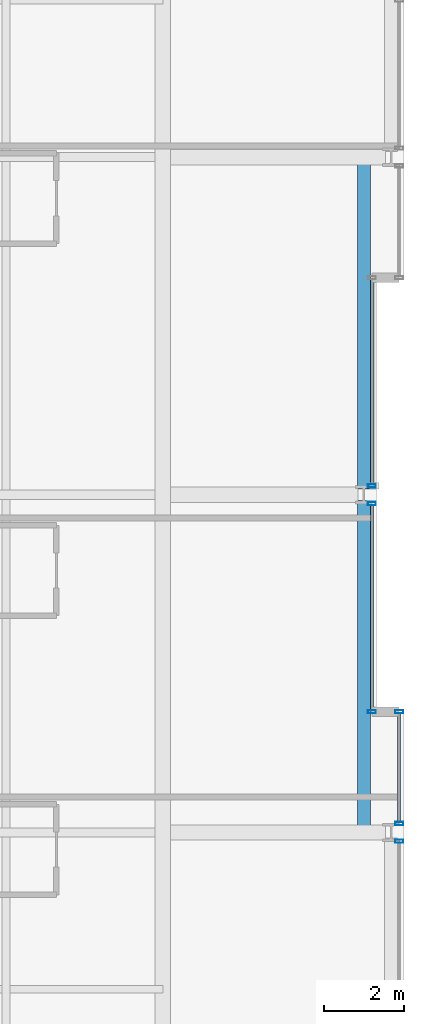
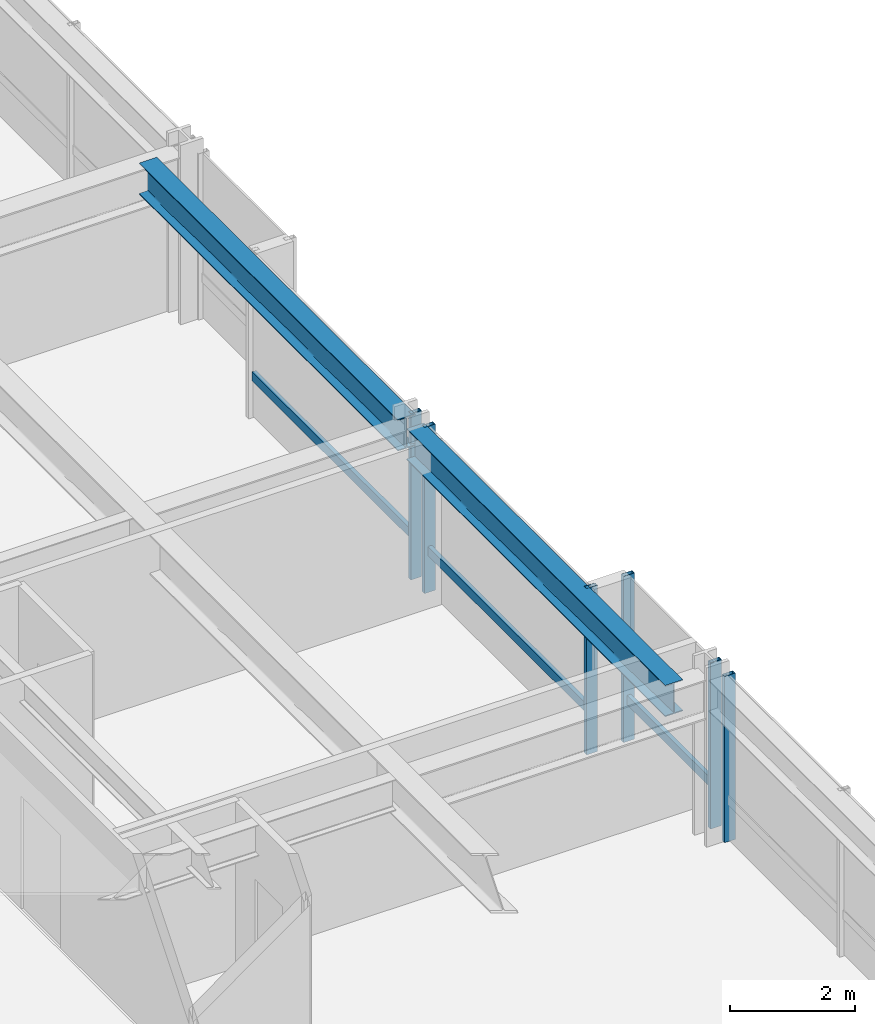
# One storey, part 15 of 34: 9 members, 2 beams, 4 elements without a shape of their own.
"""IFC4 building model written with IfcOpenShell, lengths in metres."""

from ifc_helpers import new_model, si_unit, direction, frame, origin, origin_2d, place, context, subcontext, project, spatial, hollow_rectangle, i_section, extrude, material, layer, layer_set, material_profile, profile_set, type_object, element, aggregate, save


model = new_model("IFC4")

# Units and contexts
model_context = context("Model", 3, precision=1e-05, world=origin(), true_north=direction((0.0, 1.0)))
body_context = subcontext(model_context, "Body", "Model", "MODEL_VIEW")
ifc_project = project(units=[si_unit("LENGTHUNIT", "METRE"), si_unit("AREAUNIT", "SQUARE_METRE"), si_unit("VOLUMEUNIT", "CUBIC_METRE"), si_unit("PLANEANGLEUNIT", "RADIAN"), si_unit("MASSUNIT", "GRAM", prefix="KILO")], contexts=[model_context])

# Site, building, storey
site_placement = place(None, origin())
site = spatial("IfcSite", under=ifc_project, at=site_placement, CompositionType="ELEMENT")
building_placement = place(site_placement, origin())
building = spatial("IfcBuilding", under=site, at=building_placement, Name="Drelvath Grand Hotel", CompositionType="ELEMENT")
storey_placement = place(building_placement, frame((0.0, 0.0, 109.300048828125)))
storey = spatial("IfcBuildingStorey", under=building, at=storey_placement, Name="L27", CompositionType="ELEMENT", Elevation=109.300048828125)

# Curtain wall, member
ifc_material_1 = material(Name="Champagne Bronze Anodised Aluminium Frame", Category="aluminium")
ifc_layer = layer(ifc_material_1, 0.199951171875)
ifc_layer_set = layer_set([ifc_layer], Name="Champagne Bronze Anodised Aluminium Frame")
curtain_wall_type = type_object("IfcCurtainWallType", Name="Stick Curtain Wall CW-03 Champagne Bronze Mid-Rise", PredefinedType="NOTDEFINED", material=ifc_layer_set)
curtain_wall_1_placement = place(storey_placement, origin())
curtain_wall_1 = element("IfcCurtainWall", 1, at=curtain_wall_1_placement, inside=storey, type_object=curtain_wall_type, Name="L27 CW-03 Curtain Wall CW03-L27-EM1", PredefinedType="NOTDEFINED")
ifc_material_profile_1 = material_profile(ifc_material_1, hollow_rectangle(XDim=0.074951171875, YDim=0.179931640625, WallThickness=0.0048828125, at=origin_2d()), Name="HSS180X75X5")
ifc_profile_set_1 = profile_set([ifc_material_profile_1], Name="Champagne Bronze Anodised Aluminium Frame")
member_type_1 = type_object("IfcMemberType", Name="Curtain Wall Horizontal Transom CW-03 HSS180X75X5", PredefinedType="USERDEFINED", material=ifc_profile_set_1)
member_1_placement = place(storey_placement, frame((21.39990234375, 26.740478515625, 0.81005859375), z_axis=(0.0, -1.0, 0.0), x_axis=(1.0, 0.0, 0.0)))
member_1 = element("IfcMember", 2, at=member_1_placement, type_object=member_type_1, Name="CW03-L27-EM1 Sill Transom", ObjectType="TRANSOM", PredefinedType="USERDEFINED", context=body_context, shape_type="SweptSolid", body=[
    extrude(hollow_rectangle(XDim=0.074951171875, YDim=0.179931640625, WallThickness=0.0048828125, at=origin_2d()), origin(), (0.0, 0.0, 1.0), 5.1005859375),
])

curtain_wall_2_placement = place(storey_placement, origin())
curtain_wall_2 = element("IfcCurtainWall", 3, at=curtain_wall_2_placement, inside=storey, type_object=curtain_wall_type, Name="L27 CW-03 Curtain Wall CW03-L27-EM2", PredefinedType="NOTDEFINED")
member_2_placement = place(storey_placement, frame((21.39990234375, 32.360107421875, 0.81005859375), z_axis=(0.0, -1.0, 0.0), x_axis=(1.0, 0.0, 0.0)))
member_2 = element("IfcMember", 4, at=member_2_placement, type_object=member_type_1, Name="CW03-L27-EM2 Sill Transom", ObjectType="TRANSOM", PredefinedType="USERDEFINED", context=body_context, shape_type="SweptSolid", body=[
    extrude(hollow_rectangle(XDim=0.074951171875, YDim=0.179931640625, WallThickness=0.0048828125, at=origin_2d()), origin(), (0.0, 0.0, 1.0), 5.1005859375),
])

curtain_wall_3_placement = place(storey_placement, origin())
curtain_wall_3 = element("IfcCurtainWall", 5, at=curtain_wall_3_placement, inside=storey, type_object=curtain_wall_type, Name="L27 CW-03 Curtain Wall CW03-L27-ES3", PredefinedType="NOTDEFINED")
member_3_placement = place(storey_placement, frame((22.080078125, 21.56005859375, 0.81005859375), z_axis=(0.0, -1.0, 0.0), x_axis=(1.0, 0.0, 0.0)))
member_3 = element("IfcMember", 6, at=member_3_placement, type_object=member_type_1, Name="CW03-L27-ES3 Sill Transom", ObjectType="TRANSOM", PredefinedType="USERDEFINED", context=body_context, shape_type="SweptSolid", body=[
    extrude(hollow_rectangle(XDim=0.074951171875, YDim=0.179931640625, WallThickness=0.0048828125, at=origin_2d()), origin(), (0.0, 0.0, 1.0), 2.700439453125),
])

# Member
ifc_material_profile_2 = material_profile(ifc_material_1, hollow_rectangle(XDim=0.080078125, YDim=0.199951171875, WallThickness=0.0048828125, at=origin_2d()), Name="HSS200X80X5")
ifc_profile_set_2 = profile_set([ifc_material_profile_2], Name="Champagne Bronze Anodised Aluminium Frame")
member_type_2 = type_object("IfcMemberType", Name="Curtain Wall Vertical Mullion CW-03 HSS200X80X5", PredefinedType="MULLION", material=ifc_profile_set_2)
member_4_placement = place(storey_placement, frame((21.39990234375, 26.780517578125, 0.0), z_axis=(0.0, 0.0, 1.0), x_axis=(0.0, 1.0, 0.0)))
member_4 = element("IfcMember", 7, at=member_4_placement, type_object=member_type_2, Name="CW03-L27-EM1 Mullion 1", PredefinedType="MULLION", context=body_context, shape_type="SweptSolid", body=[
    extrude(hollow_rectangle(XDim=0.080078125, YDim=0.199951171875, WallThickness=0.0048828125, at=origin_2d()), origin(), (0.0, 0.0, 1.0), 3.239990234375),
])

member_5_placement = place(storey_placement, frame((21.39990234375, 21.60009765625, 0.0), z_axis=(0.0, 0.0, 1.0), x_axis=(0.0, 1.0, 0.0)))
member_5 = element("IfcMember", 8, at=member_5_placement, type_object=member_type_2, Name="CW03-L27-EM1 Mullion 2", PredefinedType="MULLION", context=body_context, shape_type="SweptSolid", body=[
    extrude(hollow_rectangle(XDim=0.080078125, YDim=0.199951171875, WallThickness=0.0048828125, at=origin_2d()), origin(), (0.0, 0.0, 1.0), 3.239990234375),
])

aggregate(curtain_wall_1, [member_4, member_5, member_1])

member_6_placement = place(storey_placement, frame((21.39990234375, 27.219482421875, 0.0), z_axis=(0.0, 0.0, 1.0), x_axis=(0.0, 1.0, 0.0)))
member_6 = element("IfcMember", 9, at=member_6_placement, type_object=member_type_2, Name="CW03-L27-EM2 Mullion 2", PredefinedType="MULLION", context=body_context, shape_type="SweptSolid", body=[
    extrude(hollow_rectangle(XDim=0.080078125, YDim=0.199951171875, WallThickness=0.0048828125, at=origin_2d()), origin(), (0.0, 0.0, 1.0), 3.239990234375),
])

aggregate(curtain_wall_2, [member_6, member_2])

# Curtain wall, member
curtain_wall_4_placement = place(storey_placement, origin())
curtain_wall_4 = element("IfcCurtainWall", 10, at=curtain_wall_4_placement, inside=storey, type_object=curtain_wall_type, Name="L27 CW-03 Curtain Wall CW03-L27-ES2", PredefinedType="NOTDEFINED")
member_7_placement = place(storey_placement, frame((22.080078125, 18.38037109375, 0.0), z_axis=(0.0, 0.0, 1.0), x_axis=(0.0, 1.0, 0.0)))
member_7 = element("IfcMember", 11, at=member_7_placement, type_object=member_type_2, Name="CW03-L27-ES2 Mullion 1", PredefinedType="MULLION", context=body_context, shape_type="SweptSolid", body=[
    extrude(hollow_rectangle(XDim=0.080078125, YDim=0.199951171875, WallThickness=0.0048828125, at=origin_2d()), origin(), (0.0, 0.0, 1.0), 3.239990234375),
])
aggregate(curtain_wall_4, [member_7])

# Member
member_8_placement = place(storey_placement, frame((22.080078125, 21.60009765625, 0.0), z_axis=(0.0, 0.0, 1.0), x_axis=(0.0, 1.0, 0.0)))
member_8 = element("IfcMember", 12, at=member_8_placement, type_object=member_type_2, Name="CW03-L27-ES3 Mullion 1", PredefinedType="MULLION", context=body_context, shape_type="SweptSolid", body=[
    extrude(hollow_rectangle(XDim=0.080078125, YDim=0.199951171875, WallThickness=0.0048828125, at=origin_2d()), origin(), (0.0, 0.0, 1.0), 3.239990234375),
])

member_9_placement = place(storey_placement, frame((22.080078125, 18.819580078125, 0.0), z_axis=(0.0, 0.0, 1.0), x_axis=(0.0, 1.0, 0.0)))
member_9 = element("IfcMember", 13, at=member_9_placement, type_object=member_type_2, Name="CW03-L27-ES3 Mullion 2", PredefinedType="MULLION", context=body_context, shape_type="SweptSolid", body=[
    extrude(hollow_rectangle(XDim=0.080078125, YDim=0.199951171875, WallThickness=0.0048828125, at=origin_2d()), origin(), (0.0, 0.0, 1.0), 3.239990234375),
])

aggregate(curtain_wall_3, [member_8, member_9, member_3])

# Beams
ifc_material_2 = material(Name="Steel ASTM A992 Gr 50", Category="steel")
ifc_material_profile_3 = material_profile(ifc_material_2, i_section(OverallWidth=0.323974609375, OverallDepth=0.611083984375, WebThickness=0.0126953125, FlangeThickness=0.01904296875, FilletRadius=0.02197265625, at=origin_2d()), Name="W24X104")
ifc_profile_set_3 = profile_set([ifc_material_profile_3], Name="Steel ASTM A992 Gr 50")
beam_type = type_object("IfcBeamType", Name="Perimeter Spandrel Beam W24X104", PredefinedType="SPANDREL", material=ifc_profile_set_3)
for number, where, z_axis, x_axis, name in (
    (14, (21.199951171875, 18.60009765625, 2.9345703125), (0.0, 1.0, 0.0), (-1.0, 0.0, 0.0), "L27 Spandrel East Mid S"),
    (15, (21.199951171875, 27.139892578125, 2.9345703125), (0.0, 1.0, 0.0), (-1.0, 0.0, 0.0), "L27 Spandrel East Mid N"),
):
    element("IfcBeam", number, at=place(storey_placement, frame(where, z_axis=z_axis, x_axis=x_axis)), inside=storey, type_object=beam_type, Name=name, PredefinedType="SPANDREL", context=body_context, shape_type="SweptSolid", body=[
        extrude(i_section(OverallWidth=0.323974609375, OverallDepth=0.611083984375, WebThickness=0.0126953125, FlangeThickness=0.01904296875, FilletRadius=0.02197265625, at=origin_2d()), origin(), (0.0, 0.0, 1.0), 8.260009765625),
    ])

save(model, "model.ifc")
